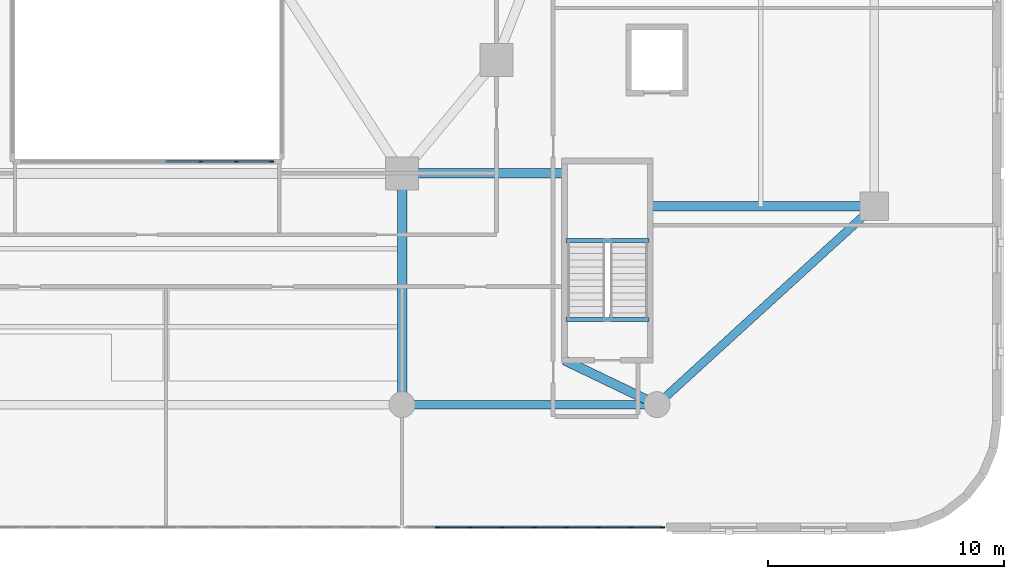
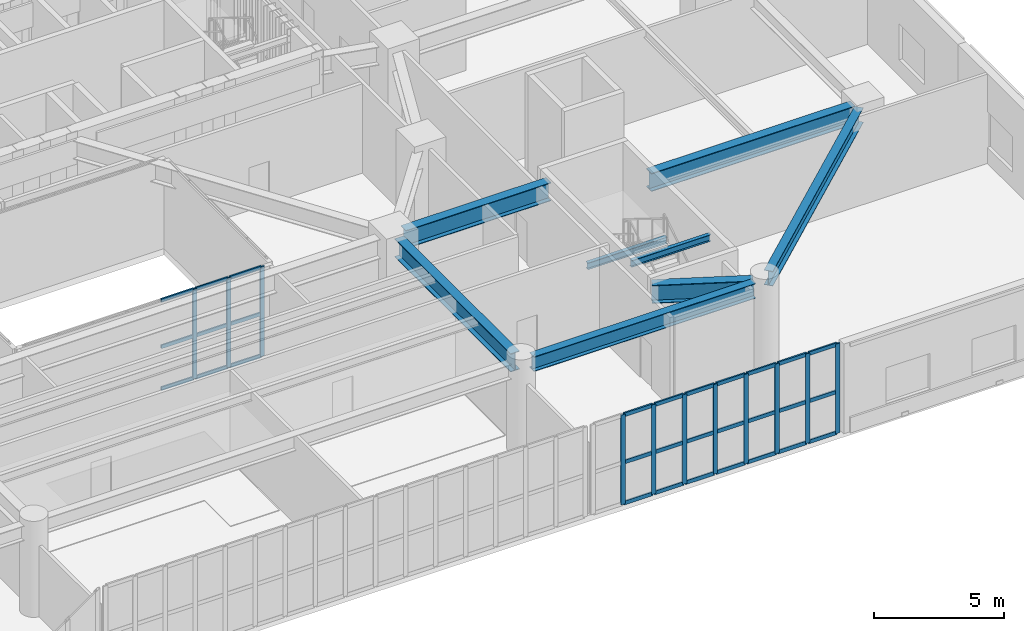
# One storey, part 6 of 25: 41 members, 8 beams, 2 elements without a shape of their own.
"""IFC4 building model written with IfcOpenShell, lengths in metres."""

from ifc_helpers import new_model, si_unit, direction, frame, origin, origin_2d, place, context, subcontext, project, spatial, rectangle, i_section, extrude, material, material_profile, profile_set, type_object, element, aggregate, save


model = new_model("IFC4")

# Units and contexts
model_context = context("Model", 3, precision=1e-05, world=origin(), true_north=direction((0.0, 1.0)))
body_context = subcontext(model_context, "Body", "Model", "MODEL_VIEW")
ifc_project = project(units=[si_unit("LENGTHUNIT", "METRE"), si_unit("AREAUNIT", "SQUARE_METRE"), si_unit("VOLUMEUNIT", "CUBIC_METRE"), si_unit("PLANEANGLEUNIT", "RADIAN"), si_unit("MASSUNIT", "GRAM", prefix="KILO")], contexts=[model_context])

# Site, building, storey
site_placement = place(None, origin())
site = spatial("IfcSite", under=ifc_project, at=site_placement, CompositionType="ELEMENT")
building_placement = place(site_placement, origin())
building = spatial("IfcBuilding", under=site, at=building_placement, Name="Haldorwick Loom Tower", CompositionType="ELEMENT")
storey_placement = place(building_placement, frame((0.0, 0.0, 10.5)))
storey = spatial("IfcBuildingStorey", under=building, at=storey_placement, Name="L02", CompositionType="ELEMENT", Elevation=10.5)

# Curtain wall, members
ifc_material_1 = material(Name="Thermally Broken Anodized Aluminium Curtain Wall Framing", Category="aluminium")
curtain_wall_type_1 = type_object("IfcCurtainWallType", Name="ARC-CW-02", PredefinedType="NOTDEFINED", material=ifc_material_1)
curtain_wall_1_placement = place(storey_placement, origin())
curtain_wall_1 = element("IfcCurtainWall", 1, at=curtain_wall_1_placement, inside=storey, type_object=curtain_wall_type_1, Name="L02 Facade Curtain Wall CW-02 Bay 41", PredefinedType="NOTDEFINED")
ifc_material_profile_1 = material_profile(ifc_material_1, rectangle(XDim=0.070068359375, YDim=0.195068359375, at=origin_2d()), Name="ALU_MUL_70X195", Category="aluminium")
ifc_profile_set_1 = profile_set([ifc_material_profile_1], Name="Thermally Broken Anodized Aluminium Curtain Wall Framing")
member_type_1 = type_object("IfcMemberType", Name="ARC-CWM-02", PredefinedType="MULLION", material=ifc_profile_set_1)
member_1_placement = place(storey_placement, frame((48.304931640625, 0.0, 0.0), z_axis=(0.0, 0.0, 1.0), x_axis=(0.0, 1.0, 0.0)))
member_1 = element("IfcMember", 2, at=member_1_placement, type_object=member_type_1, Name="CW-02 mullion 2", PredefinedType="MULLION", context=body_context, shape_type="SweptSolid", body=[
    extrude(rectangle(XDim=0.070068359375, YDim=0.195068359375, at=origin_2d()), origin(), (0.0, 0.0, 1.0), 4.199951171875),
])
member_2_placement = place(storey_placement, frame((49.669921875, 0.0, 0.0), z_axis=(0.0, 0.0, 1.0), x_axis=(0.0, 1.0, 0.0)))
member_2 = element("IfcMember", 3, at=member_2_placement, type_object=member_type_1, Name="CW-02 mullion 3", PredefinedType="MULLION", context=body_context, shape_type="SweptSolid", body=[
    extrude(rectangle(XDim=0.070068359375, YDim=0.195068359375, at=origin_2d()), origin(), (0.0, 0.0, 1.0), 4.199951171875),
])
member_3_placement = place(storey_placement, frame((51.034912109375, 0.0, 0.0), z_axis=(0.0, 0.0, 1.0), x_axis=(0.0, 1.0, 0.0)))
member_3 = element("IfcMember", 4, at=member_3_placement, type_object=member_type_1, Name="CW-02 mullion 4", PredefinedType="MULLION", context=body_context, shape_type="SweptSolid", body=[
    extrude(rectangle(XDim=0.070068359375, YDim=0.195068359375, at=origin_2d()), origin(), (0.0, 0.0, 1.0), 4.199951171875),
])
member_4_placement = place(storey_placement, frame((52.39990234375, 0.0, 0.0), z_axis=(0.0, 0.0, 1.0), x_axis=(0.0, 1.0, 0.0)))
member_4 = element("IfcMember", 5, at=member_4_placement, type_object=member_type_1, Name="CW-02 mullion 5", PredefinedType="MULLION", context=body_context, shape_type="SweptSolid", body=[
    extrude(rectangle(XDim=0.070068359375, YDim=0.195068359375, at=origin_2d()), origin(), (0.0, 0.0, 1.0), 4.199951171875),
])
member_5_placement = place(storey_placement, frame((53.764892578125, 0.0, 0.0), z_axis=(0.0, 0.0, 1.0), x_axis=(0.0, 1.0, 0.0)))
member_5 = element("IfcMember", 6, at=member_5_placement, type_object=member_type_1, Name="CW-02 mullion 6", PredefinedType="MULLION", context=body_context, shape_type="SweptSolid", body=[
    extrude(rectangle(XDim=0.070068359375, YDim=0.195068359375, at=origin_2d()), origin(), (0.0, 0.0, 1.0), 4.199951171875),
])
member_6_placement = place(storey_placement, frame((55.1298828125, 0.0, 0.0), z_axis=(0.0, 0.0, 1.0), x_axis=(0.0, 1.0, 0.0)))
member_6 = element("IfcMember", 7, at=member_6_placement, type_object=member_type_1, Name="CW-02 mullion 7", PredefinedType="MULLION", context=body_context, shape_type="SweptSolid", body=[
    extrude(rectangle(XDim=0.070068359375, YDim=0.195068359375, at=origin_2d()), origin(), (0.0, 0.0, 1.0), 4.199951171875),
])
member_7_placement = place(storey_placement, frame((56.4951171875, 0.0, 0.0), z_axis=(0.0, 0.0, 1.0), x_axis=(0.0, 1.0, 0.0)))
member_7 = element("IfcMember", 8, at=member_7_placement, type_object=member_type_1, Name="CW-02 mullion 8", PredefinedType="MULLION", context=body_context, shape_type="SweptSolid", body=[
    extrude(rectangle(XDim=0.070068359375, YDim=0.195068359375, at=origin_2d()), origin(), (0.0, 0.0, 1.0), 4.199951171875),
])
member_8_placement = place(storey_placement, frame((57.824951171875, 0.0, 0.0), z_axis=(0.0, 0.0, 1.0), x_axis=(0.0, 1.0, 0.0)))
member_8 = element("IfcMember", 9, at=member_8_placement, type_object=member_type_1, Name="CW-02 mullion 9", PredefinedType="MULLION", context=body_context, shape_type="SweptSolid", body=[
    extrude(rectangle(XDim=0.070068359375, YDim=0.195068359375, at=origin_2d()), origin(), (0.0, 0.0, 1.0), 4.199951171875),
])

curtain_wall_type_2 = type_object("IfcCurtainWallType", Name="ARC-CW-03", PredefinedType="NOTDEFINED", material=ifc_material_1)
curtain_wall_2_placement = place(storey_placement, origin())
curtain_wall_2 = element("IfcCurtainWall", 10, at=curtain_wall_2_placement, inside=storey, type_object=curtain_wall_type_2, Name="L02 Atrium Glazed Screen S", PredefinedType="NOTDEFINED")
ifc_material_profile_2 = material_profile(ifc_material_1, rectangle(XDim=0.06591796875, YDim=0.18505859375, at=origin_2d()), Name="ALU_MUL_66X185", Category="aluminium")
ifc_profile_set_2 = profile_set([ifc_material_profile_2], Name="Thermally Broken Anodized Aluminium Curtain Wall Framing")
member_type_2 = type_object("IfcMemberType", Name="ARC-CWM-03", PredefinedType="MULLION", material=ifc_profile_set_2)
member_9_placement = place(storey_placement, frame((41.26708984375, 15.5, 0.0), z_axis=(0.0, 0.0, 1.0), x_axis=(0.0, -1.0, 0.0)))
member_9 = element("IfcMember", 11, at=member_9_placement, type_object=member_type_2, Name="CW-03 mullion 1", PredefinedType="MULLION", context=body_context, shape_type="SweptSolid", body=[
    extrude(rectangle(XDim=0.06591796875, YDim=0.18505859375, at=origin_2d()), origin(), (0.0, 0.0, 1.0), 4.199951171875),
])
member_10_placement = place(storey_placement, frame((39.78564453125, 15.5, 0.0), z_axis=(0.0, 0.0, 1.0), x_axis=(0.0, -1.0, 0.0)))
member_10 = element("IfcMember", 12, at=member_10_placement, type_object=member_type_2, Name="CW-03 mullion 2", PredefinedType="MULLION", context=body_context, shape_type="SweptSolid", body=[
    extrude(rectangle(XDim=0.06591796875, YDim=0.18505859375, at=origin_2d()), origin(), (0.0, 0.0, 1.0), 4.199951171875),
])
member_11_placement = place(storey_placement, frame((38.271484375, 15.5, 0.0), z_axis=(0.0, 0.0, 1.0), x_axis=(0.0, -1.0, 0.0)))
member_11 = element("IfcMember", 13, at=member_11_placement, type_object=member_type_2, Name="CW-03 mullion 3", PredefinedType="MULLION", context=body_context, shape_type="SweptSolid", body=[
    extrude(rectangle(XDim=0.06591796875, YDim=0.18505859375, at=origin_2d()), origin(), (0.0, 0.0, 1.0), 4.199951171875),
])

# Member
ifc_material_profile_3 = material_profile(ifc_material_1, rectangle(XDim=0.070068359375, YDim=0.175048828125, at=origin_2d()), Name="ALU_TRN_70X175", Category="aluminium")
ifc_profile_set_3 = profile_set([ifc_material_profile_3], Name="Thermally Broken Anodized Aluminium Curtain Wall Framing")
member_type_3 = type_object("IfcMemberType", Name="ARC-CWT-02", PredefinedType="USERDEFINED", material=ifc_profile_set_3)
member_12_placement = place(storey_placement, frame((48.340087890625, 0.0, 0.034912109375), z_axis=(1.0, 0.0, 0.0), x_axis=(0.0, 1.0, 0.0)))
member_12 = element("IfcMember", 14, at=member_12_placement, type_object=member_type_3, Name="CW-02 transom 2.1", ObjectType="TRANSOM", PredefinedType="USERDEFINED", context=body_context, shape_type="SweptSolid", body=[
    extrude(rectangle(XDim=0.070068359375, YDim=0.175048828125, at=origin_2d()), origin(), (0.0, 0.0, 1.0), 1.294921875),
])

member_13_placement = place(storey_placement, frame((48.340087890625, 0.0, 1.949951171875), z_axis=(1.0, 0.0, 0.0), x_axis=(0.0, 1.0, 0.0)))
member_13 = element("IfcMember", 15, at=member_13_placement, type_object=member_type_3, Name="CW-02 transom 2.2", ObjectType="TRANSOM", PredefinedType="USERDEFINED", context=body_context, shape_type="SweptSolid", body=[
    extrude(rectangle(XDim=0.070068359375, YDim=0.175048828125, at=origin_2d()), origin(), (0.0, 0.0, 1.0), 1.294921875),
])

member_14_placement = place(storey_placement, frame((48.340087890625, 0.0, 4.1650390625), z_axis=(1.0, 0.0, 0.0), x_axis=(0.0, 1.0, 0.0)))
member_14 = element("IfcMember", 16, at=member_14_placement, type_object=member_type_3, Name="CW-02 transom 2.3", ObjectType="TRANSOM", PredefinedType="USERDEFINED", context=body_context, shape_type="SweptSolid", body=[
    extrude(rectangle(XDim=0.070068359375, YDim=0.175048828125, at=origin_2d()), origin(), (0.0, 0.0, 1.0), 1.294921875),
])

member_15_placement = place(storey_placement, frame((49.705078125, 0.0, 0.034912109375), z_axis=(1.0, 0.0, 0.0), x_axis=(0.0, 1.0, 0.0)))
member_15 = element("IfcMember", 17, at=member_15_placement, type_object=member_type_3, Name="CW-02 transom 3.1", ObjectType="TRANSOM", PredefinedType="USERDEFINED", context=body_context, shape_type="SweptSolid", body=[
    extrude(rectangle(XDim=0.070068359375, YDim=0.175048828125, at=origin_2d()), origin(), (0.0, 0.0, 1.0), 1.294921875),
])

member_16_placement = place(storey_placement, frame((49.705078125, 0.0, 1.949951171875), z_axis=(1.0, 0.0, 0.0), x_axis=(0.0, 1.0, 0.0)))
member_16 = element("IfcMember", 18, at=member_16_placement, type_object=member_type_3, Name="CW-02 transom 3.2", ObjectType="TRANSOM", PredefinedType="USERDEFINED", context=body_context, shape_type="SweptSolid", body=[
    extrude(rectangle(XDim=0.070068359375, YDim=0.175048828125, at=origin_2d()), origin(), (0.0, 0.0, 1.0), 1.294921875),
])

member_17_placement = place(storey_placement, frame((49.705078125, 0.0, 4.1650390625), z_axis=(1.0, 0.0, 0.0), x_axis=(0.0, 1.0, 0.0)))
member_17 = element("IfcMember", 19, at=member_17_placement, type_object=member_type_3, Name="CW-02 transom 3.3", ObjectType="TRANSOM", PredefinedType="USERDEFINED", context=body_context, shape_type="SweptSolid", body=[
    extrude(rectangle(XDim=0.070068359375, YDim=0.175048828125, at=origin_2d()), origin(), (0.0, 0.0, 1.0), 1.294921875),
])

member_18_placement = place(storey_placement, frame((51.070068359375, 0.0, 0.034912109375), z_axis=(1.0, 0.0, 0.0), x_axis=(0.0, 1.0, 0.0)))
member_18 = element("IfcMember", 20, at=member_18_placement, type_object=member_type_3, Name="CW-02 transom 4.1", ObjectType="TRANSOM", PredefinedType="USERDEFINED", context=body_context, shape_type="SweptSolid", body=[
    extrude(rectangle(XDim=0.070068359375, YDim=0.175048828125, at=origin_2d()), origin(), (0.0, 0.0, 1.0), 1.294921875),
])

member_19_placement = place(storey_placement, frame((51.070068359375, 0.0, 1.949951171875), z_axis=(1.0, 0.0, 0.0), x_axis=(0.0, 1.0, 0.0)))
member_19 = element("IfcMember", 21, at=member_19_placement, type_object=member_type_3, Name="CW-02 transom 4.2", ObjectType="TRANSOM", PredefinedType="USERDEFINED", context=body_context, shape_type="SweptSolid", body=[
    extrude(rectangle(XDim=0.070068359375, YDim=0.175048828125, at=origin_2d()), origin(), (0.0, 0.0, 1.0), 1.294921875),
])

member_20_placement = place(storey_placement, frame((51.070068359375, 0.0, 4.1650390625), z_axis=(1.0, 0.0, 0.0), x_axis=(0.0, 1.0, 0.0)))
member_20 = element("IfcMember", 22, at=member_20_placement, type_object=member_type_3, Name="CW-02 transom 4.3", ObjectType="TRANSOM", PredefinedType="USERDEFINED", context=body_context, shape_type="SweptSolid", body=[
    extrude(rectangle(XDim=0.070068359375, YDim=0.175048828125, at=origin_2d()), origin(), (0.0, 0.0, 1.0), 1.294921875),
])

member_21_placement = place(storey_placement, frame((52.43505859375, 0.0, 0.034912109375), z_axis=(1.0, 0.0, 0.0), x_axis=(0.0, 1.0, 0.0)))
member_21 = element("IfcMember", 23, at=member_21_placement, type_object=member_type_3, Name="CW-02 transom 5.1", ObjectType="TRANSOM", PredefinedType="USERDEFINED", context=body_context, shape_type="SweptSolid", body=[
    extrude(rectangle(XDim=0.070068359375, YDim=0.175048828125, at=origin_2d()), origin(), (0.0, 0.0, 1.0), 1.294921875),
])

member_22_placement = place(storey_placement, frame((52.43505859375, 0.0, 1.949951171875), z_axis=(1.0, 0.0, 0.0), x_axis=(0.0, 1.0, 0.0)))
member_22 = element("IfcMember", 24, at=member_22_placement, type_object=member_type_3, Name="CW-02 transom 5.2", ObjectType="TRANSOM", PredefinedType="USERDEFINED", context=body_context, shape_type="SweptSolid", body=[
    extrude(rectangle(XDim=0.070068359375, YDim=0.175048828125, at=origin_2d()), origin(), (0.0, 0.0, 1.0), 1.294921875),
])

member_23_placement = place(storey_placement, frame((52.43505859375, 0.0, 4.1650390625), z_axis=(1.0, 0.0, 0.0), x_axis=(0.0, 1.0, 0.0)))
member_23 = element("IfcMember", 25, at=member_23_placement, type_object=member_type_3, Name="CW-02 transom 5.3", ObjectType="TRANSOM", PredefinedType="USERDEFINED", context=body_context, shape_type="SweptSolid", body=[
    extrude(rectangle(XDim=0.070068359375, YDim=0.175048828125, at=origin_2d()), origin(), (0.0, 0.0, 1.0), 1.294921875),
])

member_24_placement = place(storey_placement, frame((53.800048828125, 0.0, 0.034912109375), z_axis=(1.0, 0.0, 0.0), x_axis=(0.0, 1.0, 0.0)))
member_24 = element("IfcMember", 26, at=member_24_placement, type_object=member_type_3, Name="CW-02 transom 6.1", ObjectType="TRANSOM", PredefinedType="USERDEFINED", context=body_context, shape_type="SweptSolid", body=[
    extrude(rectangle(XDim=0.070068359375, YDim=0.175048828125, at=origin_2d()), origin(), (0.0, 0.0, 1.0), 1.294921875),
])

member_25_placement = place(storey_placement, frame((53.800048828125, 0.0, 1.949951171875), z_axis=(1.0, 0.0, 0.0), x_axis=(0.0, 1.0, 0.0)))
member_25 = element("IfcMember", 27, at=member_25_placement, type_object=member_type_3, Name="CW-02 transom 6.2", ObjectType="TRANSOM", PredefinedType="USERDEFINED", context=body_context, shape_type="SweptSolid", body=[
    extrude(rectangle(XDim=0.070068359375, YDim=0.175048828125, at=origin_2d()), origin(), (0.0, 0.0, 1.0), 1.294921875),
])

member_26_placement = place(storey_placement, frame((53.800048828125, 0.0, 4.1650390625), z_axis=(1.0, 0.0, 0.0), x_axis=(0.0, 1.0, 0.0)))
member_26 = element("IfcMember", 28, at=member_26_placement, type_object=member_type_3, Name="CW-02 transom 6.3", ObjectType="TRANSOM", PredefinedType="USERDEFINED", context=body_context, shape_type="SweptSolid", body=[
    extrude(rectangle(XDim=0.070068359375, YDim=0.175048828125, at=origin_2d()), origin(), (0.0, 0.0, 1.0), 1.294921875),
])

member_27_placement = place(storey_placement, frame((55.1650390625, 0.0, 0.034912109375), z_axis=(1.0, 0.0, 0.0), x_axis=(0.0, 1.0, 0.0)))
member_27 = element("IfcMember", 29, at=member_27_placement, type_object=member_type_3, Name="CW-02 transom 7.1", ObjectType="TRANSOM", PredefinedType="USERDEFINED", context=body_context, shape_type="SweptSolid", body=[
    extrude(rectangle(XDim=0.070068359375, YDim=0.175048828125, at=origin_2d()), origin(), (0.0, 0.0, 1.0), 1.294921875),
])

member_28_placement = place(storey_placement, frame((55.1650390625, 0.0, 1.949951171875), z_axis=(1.0, 0.0, 0.0), x_axis=(0.0, 1.0, 0.0)))
member_28 = element("IfcMember", 30, at=member_28_placement, type_object=member_type_3, Name="CW-02 transom 7.2", ObjectType="TRANSOM", PredefinedType="USERDEFINED", context=body_context, shape_type="SweptSolid", body=[
    extrude(rectangle(XDim=0.070068359375, YDim=0.175048828125, at=origin_2d()), origin(), (0.0, 0.0, 1.0), 1.294921875),
])

member_29_placement = place(storey_placement, frame((55.1650390625, 0.0, 4.1650390625), z_axis=(1.0, 0.0, 0.0), x_axis=(0.0, 1.0, 0.0)))
member_29 = element("IfcMember", 31, at=member_29_placement, type_object=member_type_3, Name="CW-02 transom 7.3", ObjectType="TRANSOM", PredefinedType="USERDEFINED", context=body_context, shape_type="SweptSolid", body=[
    extrude(rectangle(XDim=0.070068359375, YDim=0.175048828125, at=origin_2d()), origin(), (0.0, 0.0, 1.0), 1.294921875),
])

member_30_placement = place(storey_placement, frame((56.530029296875, 0.0, 0.034912109375), z_axis=(1.0, 0.0, 0.0), x_axis=(0.0, 1.0, 0.0)))
member_30 = element("IfcMember", 32, at=member_30_placement, type_object=member_type_3, Name="CW-02 transom 8.1", ObjectType="TRANSOM", PredefinedType="USERDEFINED", context=body_context, shape_type="SweptSolid", body=[
    extrude(rectangle(XDim=0.070068359375, YDim=0.175048828125, at=origin_2d()), origin(), (0.0, 0.0, 1.0), 1.260009765625),
])

member_31_placement = place(storey_placement, frame((56.530029296875, 0.0, 1.949951171875), z_axis=(1.0, 0.0, 0.0), x_axis=(0.0, 1.0, 0.0)))
member_31 = element("IfcMember", 33, at=member_31_placement, type_object=member_type_3, Name="CW-02 transom 8.2", ObjectType="TRANSOM", PredefinedType="USERDEFINED", context=body_context, shape_type="SweptSolid", body=[
    extrude(rectangle(XDim=0.070068359375, YDim=0.175048828125, at=origin_2d()), origin(), (0.0, 0.0, 1.0), 1.260009765625),
])

member_32_placement = place(storey_placement, frame((56.530029296875, 0.0, 4.1650390625), z_axis=(1.0, 0.0, 0.0), x_axis=(0.0, 1.0, 0.0)))
member_32 = element("IfcMember", 34, at=member_32_placement, type_object=member_type_3, Name="CW-02 transom 8.3", ObjectType="TRANSOM", PredefinedType="USERDEFINED", context=body_context, shape_type="SweptSolid", body=[
    extrude(rectangle(XDim=0.070068359375, YDim=0.175048828125, at=origin_2d()), origin(), (0.0, 0.0, 1.0), 1.260009765625),
])

aggregate(curtain_wall_1, [member_1, member_2, member_3, member_4, member_5, member_6, member_7, member_8, member_12, member_13, member_14, member_15, member_16, member_17, member_18, member_19, member_20, member_21, member_22, member_23, member_24, member_25, member_26, member_27, member_28, member_29, member_30, member_31, member_32])

ifc_material_profile_4 = material_profile(ifc_material_1, rectangle(XDim=0.06591796875, YDim=0.1650390625, at=origin_2d()), Name="ALU_TRN_66X165", Category="aluminium")
ifc_profile_set_4 = profile_set([ifc_material_profile_4], Name="Thermally Broken Anodized Aluminium Curtain Wall Framing")
member_type_4 = type_object("IfcMemberType", Name="ARC-CWT-03", PredefinedType="USERDEFINED", material=ifc_profile_set_4)
member_33_placement = place(storey_placement, frame((41.23388671875, 15.5, 0.032958984375), z_axis=(-1.0, 0.0, 0.0), x_axis=(0.0, -1.0, 0.0)))
member_33 = element("IfcMember", 35, at=member_33_placement, type_object=member_type_4, Name="CW-03 transom 1.1", ObjectType="TRANSOM", PredefinedType="USERDEFINED", context=body_context, shape_type="SweptSolid", body=[
    extrude(rectangle(XDim=0.06591796875, YDim=0.1650390625, at=origin_2d()), origin(), (0.0, 0.0, 1.0), 1.415283203125),
])

member_34_placement = place(storey_placement, frame((41.23388671875, 15.5, 2.0), z_axis=(-1.0, 0.0, 0.0), x_axis=(0.0, -1.0, 0.0)))
member_34 = element("IfcMember", 36, at=member_34_placement, type_object=member_type_4, Name="CW-03 transom 1.2", ObjectType="TRANSOM", PredefinedType="USERDEFINED", context=body_context, shape_type="SweptSolid", body=[
    extrude(rectangle(XDim=0.06591796875, YDim=0.1650390625, at=origin_2d()), origin(), (0.0, 0.0, 1.0), 1.415283203125),
])

member_35_placement = place(storey_placement, frame((41.23388671875, 15.5, 4.1669921875), z_axis=(-1.0, 0.0, 0.0), x_axis=(0.0, -1.0, 0.0)))
member_35 = element("IfcMember", 37, at=member_35_placement, type_object=member_type_4, Name="CW-03 transom 1.3", ObjectType="TRANSOM", PredefinedType="USERDEFINED", context=body_context, shape_type="SweptSolid", body=[
    extrude(rectangle(XDim=0.06591796875, YDim=0.1650390625, at=origin_2d()), origin(), (0.0, 0.0, 1.0), 1.415283203125),
])

member_36_placement = place(storey_placement, frame((39.752685546875, 15.5, 0.032958984375), z_axis=(-1.0, 0.0, 0.0), x_axis=(0.0, -1.0, 0.0)))
member_36 = element("IfcMember", 38, at=member_36_placement, type_object=member_type_4, Name="CW-03 transom 2.1", ObjectType="TRANSOM", PredefinedType="USERDEFINED", context=body_context, shape_type="SweptSolid", body=[
    extrude(rectangle(XDim=0.06591796875, YDim=0.1650390625, at=origin_2d()), origin(), (0.0, 0.0, 1.0), 1.4482421875),
])

member_37_placement = place(storey_placement, frame((39.752685546875, 15.5, 2.0), z_axis=(-1.0, 0.0, 0.0), x_axis=(0.0, -1.0, 0.0)))
member_37 = element("IfcMember", 39, at=member_37_placement, type_object=member_type_4, Name="CW-03 transom 2.2", ObjectType="TRANSOM", PredefinedType="USERDEFINED", context=body_context, shape_type="SweptSolid", body=[
    extrude(rectangle(XDim=0.06591796875, YDim=0.1650390625, at=origin_2d()), origin(), (0.0, 0.0, 1.0), 1.4482421875),
])

member_38_placement = place(storey_placement, frame((39.752685546875, 15.5, 4.1669921875), z_axis=(-1.0, 0.0, 0.0), x_axis=(0.0, -1.0, 0.0)))
member_38 = element("IfcMember", 40, at=member_38_placement, type_object=member_type_4, Name="CW-03 transom 2.3", ObjectType="TRANSOM", PredefinedType="USERDEFINED", context=body_context, shape_type="SweptSolid", body=[
    extrude(rectangle(XDim=0.06591796875, YDim=0.1650390625, at=origin_2d()), origin(), (0.0, 0.0, 1.0), 1.4482421875),
])

member_39_placement = place(storey_placement, frame((38.238525390625, 15.5, 0.032958984375), z_axis=(-1.0, 0.0, 0.0), x_axis=(0.0, -1.0, 0.0)))
member_39 = element("IfcMember", 41, at=member_39_placement, type_object=member_type_4, Name="CW-03 transom 3.1", ObjectType="TRANSOM", PredefinedType="USERDEFINED", context=body_context, shape_type="SweptSolid", body=[
    extrude(rectangle(XDim=0.06591796875, YDim=0.1650390625, at=origin_2d()), origin(), (0.0, 0.0, 1.0), 1.448486328125),
])

member_40_placement = place(storey_placement, frame((38.238525390625, 15.5, 2.0), z_axis=(-1.0, 0.0, 0.0), x_axis=(0.0, -1.0, 0.0)))
member_40 = element("IfcMember", 42, at=member_40_placement, type_object=member_type_4, Name="CW-03 transom 3.2", ObjectType="TRANSOM", PredefinedType="USERDEFINED", context=body_context, shape_type="SweptSolid", body=[
    extrude(rectangle(XDim=0.06591796875, YDim=0.1650390625, at=origin_2d()), origin(), (0.0, 0.0, 1.0), 1.448486328125),
])

member_41_placement = place(storey_placement, frame((38.238525390625, 15.5, 4.1669921875), z_axis=(-1.0, 0.0, 0.0), x_axis=(0.0, -1.0, 0.0)))
member_41 = element("IfcMember", 43, at=member_41_placement, type_object=member_type_4, Name="CW-03 transom 3.3", ObjectType="TRANSOM", PredefinedType="USERDEFINED", context=body_context, shape_type="SweptSolid", body=[
    extrude(rectangle(XDim=0.06591796875, YDim=0.1650390625, at=origin_2d()), origin(), (0.0, 0.0, 1.0), 1.448486328125),
])

aggregate(curtain_wall_2, [member_9, member_10, member_11, member_33, member_34, member_35, member_36, member_37, member_38, member_39, member_40, member_41])

# Beams
ifc_material_2 = material(Name="Steel CSA G40.21 350W", Category="steel")
ifc_material_profile_5 = material_profile(ifc_material_2, i_section(OverallWidth=0.35498046875, OverallDepth=0.695068359375, WebThickness=0.015380859375, FlangeThickness=0.02490234375, at=origin_2d()), Name="W690X217", Category="steel")
ifc_profile_set_5 = profile_set([ifc_material_profile_5], Name="Steel CSA G40.21 350W")
beam_type_1 = type_object("IfcBeamType", Name="STR-BM-SP690", PredefinedType="SPANDREL", material=ifc_profile_set_5)
beam_1_placement = place(storey_placement, frame((47.280029296875, 5.199951171875, 3.8525390625), z_axis=(1.0, 0.0, 0.0), x_axis=(0.0, 1.0, 0.0)))
element("IfcBeam", 44, at=beam_1_placement, inside=storey, type_object=beam_type_1, Name="L02 Podium Spandrel PSP-S4", PredefinedType="SPANDREL", context=body_context, shape_type="SweptSolid", body=[
    extrude(i_section(OverallWidth=0.35498046875, OverallDepth=0.695068359375, WebThickness=0.015380859375, FlangeThickness=0.02490234375, at=origin_2d()), origin(), (0.0, 0.0, 1.0), 9.840087890625),
])
beam_2_placement = place(storey_placement, frame((57.95458984375, 5.523681640625, 3.8525390625), z_axis=(0.738482735745, 0.674272384876, 0.0), x_axis=(-0.674272384876, 0.738482735745, 0.0)))
element("IfcBeam", 45, at=beam_2_placement, inside=storey, type_object=beam_type_1, Name="L02 Podium Spandrel PSP-S5", PredefinedType="SPANDREL", context=body_context, shape_type="SweptSolid", body=[
    extrude(i_section(OverallWidth=0.35498046875, OverallDepth=0.695068359375, WebThickness=0.015380859375, FlangeThickness=0.02490234375, at=origin_2d()), origin(), (0.0, 0.0, 1.0), 11.497802734375),
])
ifc_material_profile_6 = material_profile(ifc_material_2, i_section(OverallWidth=0.166015625, OverallDepth=0.31298828125, WebThickness=0.006591796875, FlangeThickness=0.01123046875, at=origin_2d()), Name="W310X45", Category="steel")
ifc_profile_set_6 = profile_set([ifc_material_profile_6], Name="Steel CSA G40.21 350W")
beam_type_2 = type_object("IfcBeamType", Name="STR-BM-STRM", PredefinedType="BEAM", material=ifc_profile_set_6)
for number, where, z_axis, x_axis, name in (
    (46, (53.739990234375, 8.800048828125, 4.04345703125), (1.0, 0.0, 0.0), (0.0, 1.0, 0.0), "L02 Stair ST-P2 Landing Edge Trimmer"),
    (47, (53.739990234375, 12.159912109375, 1.8935546875), (1.0, 0.0, 0.0), (0.0, 1.0, 0.0), "L02 Stair ST-P2 Half-Landing Trimmer 1"),
):
    element("IfcBeam", number, at=place(storey_placement, frame(where, z_axis=z_axis, x_axis=x_axis)), inside=storey, type_object=beam_type_2, Name=name, PredefinedType="BEAM", context=body_context, shape_type="SweptSolid", body=[
        extrude(i_section(OverallWidth=0.166015625, OverallDepth=0.31298828125, WebThickness=0.006591796875, FlangeThickness=0.01123046875, at=origin_2d()), origin(), (0.0, 0.0, 1.0), 3.52001953125),
    ])
ifc_material_profile_7 = material_profile(ifc_material_2, i_section(OverallWidth=0.39990234375, OverallDepth=0.85498046875, WebThickness=0.018310546875, FlangeThickness=0.029296875, at=origin_2d()), Name="W840X299", Category="steel")
ifc_profile_set_7 = profile_set([ifc_material_profile_7], Name="Steel CSA G40.21 350W")
beam_type_3 = type_object("IfcBeamType", Name="STR-BM-W840", PredefinedType="BEAM", material=ifc_profile_set_7)
beam_3_placement = place(storey_placement, frame((46.800048828125, 5.64990234375, 3.7724609375), z_axis=(0.0, 1.0, 0.0), x_axis=(-1.0, 0.0, 0.0)))
element("IfcBeam", 48, at=beam_3_placement, inside=storey, type_object=beam_type_3, Name="L02 Podium Primary Girder PG-02", PredefinedType="BEAM", context=body_context, shape_type="SweptSolid", body=[
    extrude(i_section(OverallWidth=0.39990234375, OverallDepth=0.85498046875, WebThickness=0.018310546875, FlangeThickness=0.029296875, at=origin_2d()), origin(), (0.0, 0.0, 1.0), 8.900146484375),
])
beam_4_placement = place(storey_placement, frame((66.35009765625, 13.60009765625, 3.7724609375), z_axis=(-1.0, 0.0, 0.0), x_axis=(0.0, -1.0, 0.0)))
element("IfcBeam", 49, at=beam_4_placement, inside=storey, type_object=beam_type_3, Name="L02 Podium Primary Girder PG-07A", PredefinedType="BEAM", context=body_context, shape_type="SweptSolid", body=[
    extrude(i_section(OverallWidth=0.39990234375, OverallDepth=0.85498046875, WebThickness=0.018310546875, FlangeThickness=0.029296875, at=origin_2d()), origin(), (0.0, 0.0, 1.0), 9.030029296875),
])
beam_5_placement = place(storey_placement, frame((53.679931640625, 15.0, 3.7724609375), z_axis=(-1.0, 0.0, 0.0), x_axis=(0.0, -1.0, 0.0)))
element("IfcBeam", 50, at=beam_5_placement, inside=storey, type_object=beam_type_3, Name="L02 Podium Primary Girder PG-07B", PredefinedType="BEAM", context=body_context, shape_type="SweptSolid", body=[
    extrude(i_section(OverallWidth=0.39990234375, OverallDepth=0.85498046875, WebThickness=0.018310546875, FlangeThickness=0.029296875, at=origin_2d()), origin(), (0.0, 0.0, 1.0), 6.429931640625),
])
beam_6_placement = place(storey_placement, frame((57.1943359375, 5.39453125, 3.7724609375), z_axis=(-0.901659852689, 0.432445961998, 0.0), x_axis=(-0.432445961998, -0.901659852689, 0.0)))
element("IfcBeam", 51, at=beam_6_placement, inside=storey, type_object=beam_type_3, Name="L02 Podium Primary Girder PG-17", PredefinedType="BEAM", context=body_context, shape_type="SweptSolid", body=[
    extrude(i_section(OverallWidth=0.39990234375, OverallDepth=0.85498046875, WebThickness=0.018310546875, FlangeThickness=0.029296875, at=origin_2d()), origin(), (0.0, 0.0, 1.0), 3.897705078125),
])

save(model, "model.ifc")
